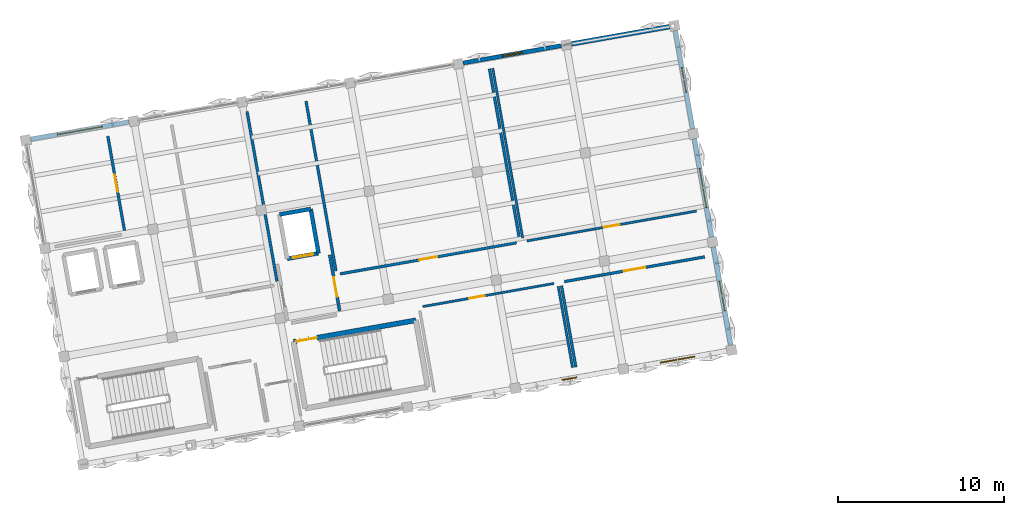
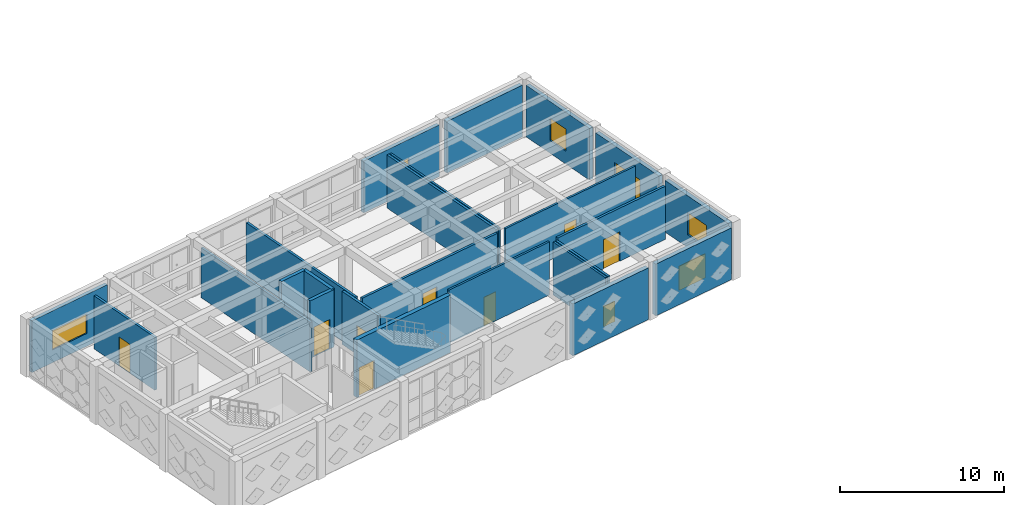
# One storey, part 28 of 36: 24 walls, 8 doors, 7 windows, 15 openings.
"""IFC4 building model written with IfcOpenShell, lengths in metres."""

from ifc_helpers import new_model, si_unit, direction, frame, frame_2d, origin, place, context, subcontext, project, spatial, rectangle, extrude, material, layer, layer_set, type_object, element, fill, save


model = new_model("IFC4")

# Units and contexts
model_context = context("Model", 3, precision=1e-05, world=origin(), true_north=direction((0.0, 1.0)))
body_context = subcontext(model_context, "Body", "Model", "MODEL_VIEW")
ifc_project = project(units=[si_unit("LENGTHUNIT", "METRE"), si_unit("AREAUNIT", "SQUARE_METRE"), si_unit("VOLUMEUNIT", "CUBIC_METRE"), si_unit("PLANEANGLEUNIT", "RADIAN"), si_unit("MASSUNIT", "GRAM", prefix="KILO")], contexts=[model_context])

# Site, building, storey
site_placement = place(None, origin())
site = spatial("IfcSite", under=ifc_project, at=site_placement, CompositionType="ELEMENT")
building_placement = place(site_placement, origin())
building = spatial("IfcBuilding", under=site, at=building_placement, Name="Kharisveld Research Institute", CompositionType="ELEMENT")
storey_placement = place(building_placement, frame((0.0, 0.0, 27.60009765625)))
storey = spatial("IfcBuildingStorey", under=building, at=storey_placement, Name="L06", CompositionType="ELEMENT", Elevation=27.60009765625)

# Walls
ifc_material_1 = material(Name="Concrete C40/50", Category="concrete")
ifc_layer_1 = layer(ifc_material_1, 0.239990234375)
ifc_layer_set_1 = layer_set([ifc_layer_1], Name="WL_CORE_240")
wall_type_1 = type_object("IfcWallType", Name="WL_CORE_240", PredefinedType="SHEAR", material=ifc_layer_set_1)
wall_1_placement = place(storey_placement, frame((17.01953125, 50.040771484375, 0.0), z_axis=(0.0, 0.0, 1.0), x_axis=(0.984815882103, 0.173602068988, 0.0)))
element("IfcWall", 1, at=wall_1_placement, inside=storey, type_object=wall_type_1, Name="WL:LFT:FFL-01:L06:N", PredefinedType="SHEAR", context=body_context, shape_type="SweptSolid", body=[
    extrude(rectangle(XDim=1.89990234375, YDim=0.239990234375, at=frame_2d((0.949951171875, 0.0))), origin(), (0.0, 0.0, 1.0), 4.27978515625),
])
wall_2_placement = place(storey_placement, frame((18.890625, 50.37060546875, 0.0), z_axis=(0.0, 0.0, 1.0), x_axis=(0.173615102578, -0.98481358447, 0.0)))
element("IfcWall", 2, at=wall_2_placement, inside=storey, type_object=wall_type_1, Name="WL:LFT:FFL-01:L06:E", PredefinedType="SHEAR", context=body_context, shape_type="SweptSolid", body=[
    extrude(rectangle(XDim=2.699951171875, YDim=0.239990234375, at=frame_2d((1.35009765625, 0.0))), origin(), (0.0, 0.0, 1.0), 4.27978515625),
])

# Wall, opening, door
wall_3_placement = place(storey_placement, frame((19.359375, 47.711669921875, 0.0), z_axis=(0.0, 0.0, 1.0), x_axis=(-0.984815882103, -0.173602068988, 0.0)))
wall_3 = element("IfcWall", 3, at=wall_3_placement, inside=storey, type_object=wall_type_1, Name="WL:LFT:FFL-01:L06:S", PredefinedType="SHEAR", context=body_context, shape_type="SweptSolid", body=[
    extrude(rectangle(XDim=1.89990234375, YDim=0.239990234375, at=frame_2d((0.949951171875, 0.0))), origin(), (0.0, 0.0, 1.0), 4.27978515625),
])
opening_1_placement = place(wall_3_placement, frame((0.324951171875, 0.0, 0.0)))
opening_1 = element("IfcOpeningElement", 4, at=opening_1_placement, cuts=wall_3, Name="Opening LD-02", PredefinedType="OPENING", context=body_context, shape_type="SweptSolid", body=[
    extrude(rectangle(XDim=1.25, YDim=2.199951171875, at=frame_2d((0.625, 1.10009765625))), frame((0.0, 0.1201171875, 0.0), z_axis=(0.0, -1.0, 0.0), x_axis=(1.0, 0.0, 0.0)), (0.0, 0.0, 1.0), 0.239990234375),
])
ifc_material_2 = material(Name="Flush Painted Hardwood and Anodised Aluminium", Category="wood")
door_type_1 = type_object("IfcDoorType", Name="DR_LFT_125", OperationType="SLIDING_TO_RIGHT", PredefinedType="DOOR", material=ifc_material_2)
door_1_placement = place(opening_1_placement, origin())
door_1 = element("IfcDoor", 5, at=door_1_placement, inside=storey, type_object=door_type_1, Name="FFL-01 Lift Landing Door L06", OperationType="SLIDING_TO_RIGHT", OverallHeight=2.199951171875, OverallWidth=1.25, PredefinedType="DOOR", context=body_context, shape_type="SweptSolid", body=[
    extrude(rectangle(XDim=1.25, YDim=2.199951171875, at=frame_2d((0.625, 1.10009765625))), frame((0.0, 0.02490234375, 0.0), z_axis=(0.0, -1.0, 0.0), x_axis=(1.0, 0.0, 0.0)), (0.0, 0.0, 1.0), 0.050048828125),
])
fill(opening_1, door_1)

ifc_material_3 = material(Name="Concrete C40/50", Category="concrete")
ifc_layer_2 = layer(ifc_material_3, 0.300048828125)
ifc_layer_set_2 = layer_set([ifc_layer_2], Name="WL_CORE_300")
wall_type_2 = type_object("IfcWallType", Name="WL_CORE_300", PredefinedType="SHEAR", material=ifc_layer_set_2)
wall_4_placement = place(storey_placement, frame((17.862548828125, 42.380859375, 0.0), z_axis=(0.0, 0.0, 1.0), x_axis=(0.984808225754, 0.173645496596, 0.0)))
wall_4 = element("IfcWall", 6, at=wall_4_placement, inside=storey, type_object=wall_type_2, Name="WL:STR:ST2:L06:N", PredefinedType="SHEAR", context=body_context, shape_type="SweptSolid", body=[
    extrude(rectangle(XDim=7.469970703125, YDim=0.300048828125, at=frame_2d((3.73486328125, 0.0))), origin(), (0.0, 0.0, 1.0), 4.27978515625),
])
opening_2_placement = place(wall_4_placement, frame((0.179931640625, 0.0, 0.0)))
opening_2 = element("IfcOpeningElement", 7, at=opening_2_placement, cuts=wall_4, Name="Opening DS-021", PredefinedType="OPENING", context=body_context, shape_type="SweptSolid", body=[
    extrude(rectangle(XDim=1.239990234375, YDim=2.14990234375, at=frame_2d((0.6201171875, 1.074951171875))), frame((0.0, 0.14990234375, 0.0), z_axis=(0.0, -1.0, 0.0), x_axis=(1.0, 0.0, 0.0)), (0.0, 0.0, 1.0), 0.300048828125),
])
ifc_material_4 = material(Name="Flush Painted Hardwood and Anodised Aluminium", Category="wood")
door_type_2 = type_object("IfcDoorType", Name="DR_FD60_124", OperationType="NOTDEFINED", PredefinedType="DOOR", material=ifc_material_4)
door_2_placement = place(opening_2_placement, origin())
door_2 = element("IfcDoor", 8, at=door_2_placement, inside=storey, type_object=door_type_2, Name="DR:STR:ST2:L06", OperationType="SINGLE_SWING_RIGHT", OverallHeight=2.14990234375, OverallWidth=1.239990234375, PredefinedType="DOOR", context=body_context, shape_type="SweptSolid", body=[
    extrude(rectangle(XDim=1.239990234375, YDim=2.14990234375, at=frame_2d((0.6201171875, 1.074951171875))), frame((0.0, 0.02490234375, 0.0), z_axis=(0.0, -1.0, 0.0), x_axis=(1.0, 0.0, 0.0)), (0.0, 0.0, 1.0), 0.050048828125),
])
fill(opening_2, door_2)

# Wall, opening, window
ifc_material_5 = material(Name="Lightweight Acoustic Spandrel", Category="mineral")
ifc_layer_3 = layer(ifc_material_5, 0.2451171875)
ifc_layer_set_3 = layer_set([ifc_layer_3], Name="WL_EXT_245")
wall_type_3 = type_object("IfcWallType", Name="WL_EXT_245", PredefinedType="STANDARD", material=ifc_layer_set_3)
wall_5_placement = place(storey_placement, frame((2.05224609375, 54.560302734375, 0.0), z_axis=(0.0, 0.0, 1.0), x_axis=(0.984805634113, 0.173660194111, 0.0)))
wall_5 = element("IfcWall", 9, at=wall_5_placement, inside=storey, type_object=wall_type_3, Name="WL:V1:L06:N0", PredefinedType="STANDARD", context=body_context, shape_type="SweptSolid", body=[
    extrude(rectangle(XDim=6.010009765625, YDim=0.2451171875, at=frame_2d((3.0048828125, 0.0))), origin(), (0.0, 0.0, 1.0), 3.85498046875),
])
opening_3_placement = place(wall_5_placement, frame((1.64501953125, 0.0, 0.949951171875)))
opening_3 = element("IfcOpeningElement", 10, at=opening_3_placement, cuts=wall_5, Name="Opening WN-38", PredefinedType="OPENING", context=body_context, shape_type="SweptSolid", body=[
    extrude(rectangle(XDim=2.719970703125, YDim=1.43994140625, at=frame_2d((1.35986328125, 0.719970703125))), frame((0.0, 0.12255859375, 0.0), z_axis=(0.0, -1.0, 0.0), x_axis=(1.0, 0.0, 0.0)), (0.0, 0.0, 1.0), 0.2451171875),
])
ifc_material_6 = material(Name="Low-E Double Glazing", Category="glass")
window_type_1 = type_object("IfcWindowType", Name="WN_38", PartitioningType="DOUBLE_PANEL_VERTICAL", PredefinedType="WINDOW", material=ifc_material_6)
window_1_placement = place(opening_3_placement, origin())
window_1 = element("IfcWindow", 11, at=window_1_placement, inside=storey, type_object=window_type_1, Name="WN:V1:L06:N0", OverallHeight=1.43994140625, OverallWidth=2.719970703125, PartitioningType="SINGLE_PANEL", PredefinedType="WINDOW", context=body_context, shape_type="SweptSolid", body=[
    extrude(rectangle(XDim=2.719970703125, YDim=1.43994140625, at=frame_2d((1.35986328125, 0.719970703125))), frame((0.0, 0.030029296875, 0.0), z_axis=(0.0, -1.0, 0.0), x_axis=(1.0, 0.0, 0.0)), (0.0, 0.0, 1.0), 0.06005859375),
])
fill(opening_3, window_1)

wall_6_placement = place(storey_placement, frame((28.05126953125, 59.144775390625, 0.0), z_axis=(0.0, 0.0, 1.0), x_axis=(0.984805634113, 0.173660194111, 0.0)))
wall_6 = element("IfcWall", 12, at=wall_6_placement, inside=storey, type_object=wall_type_3, Name="WL:V1:L06:N4", PredefinedType="STANDARD", context=body_context, shape_type="SweptSolid", body=[
    extrude(rectangle(XDim=6.010009765625, YDim=0.2451171875, at=frame_2d((3.0048828125, 0.0))), origin(), (0.0, 0.0, 1.0), 3.85498046875),
])
opening_4_placement = place(wall_6_placement, frame((2.405029296875, 0.0, 0.949951171875)))
opening_4 = element("IfcOpeningElement", 13, at=opening_4_placement, cuts=wall_6, Name="Opening WN-04", PredefinedType="OPENING", context=body_context, shape_type="SweptSolid", body=[
    extrude(rectangle(XDim=1.199951171875, YDim=1.5, at=frame_2d((0.60009765625, 0.75))), frame((0.0, 0.12255859375, 0.0), z_axis=(0.0, -1.0, 0.0), x_axis=(1.0, 0.0, 0.0)), (0.0, 0.0, 1.0), 0.2451171875),
])
ifc_material_7 = material(Name="Low-E Double Glazing", Category="glass")
window_type_2 = type_object("IfcWindowType", Name="WN_04", PartitioningType="SINGLE_PANEL", PredefinedType="WINDOW", material=ifc_material_7)
window_2_placement = place(opening_4_placement, origin())
window_2 = element("IfcWindow", 14, at=window_2_placement, inside=storey, type_object=window_type_2, Name="WN:V1:L06:N4", OverallHeight=1.5, OverallWidth=1.199951171875, PartitioningType="SINGLE_PANEL", PredefinedType="WINDOW", context=body_context, shape_type="SweptSolid", body=[
    extrude(rectangle(XDim=1.199951171875, YDim=1.5, at=frame_2d((0.60009765625, 0.75))), frame((0.0, 0.030029296875, 0.0), z_axis=(0.0, -1.0, 0.0), x_axis=(1.0, 0.0, 0.0)), (0.0, 0.0, 1.0), 0.06005859375),
])
fill(opening_4, window_2)

ifc_material_8 = material(Name="Precast Concrete C40/50 Thermal Wall", Category="concrete")
ifc_layer_4 = layer(ifc_material_8, 0.260009765625)
ifc_layer_set_4 = layer_set([ifc_layer_4], Name="WL_EXT_260")
wall_type_4 = type_object("IfcWallType", Name="WL_EXT_260", PredefinedType="STANDARD", material=ifc_layer_set_4)
wall_7_placement = place(storey_placement, frame((40.811279296875, 61.09521484375, 0.0), z_axis=(0.0, 0.0, 1.0), x_axis=(0.173660194111, -0.984805634113, 0.0)))
wall_7 = element("IfcWall", 15, at=wall_7_placement, inside=storey, type_object=wall_type_4, Name="WL:V1:L06:E3", PredefinedType="STANDARD", context=body_context, shape_type="SweptSolid", body=[
    extrude(rectangle(XDim=6.010009765625, YDim=0.260009765625, at=frame_2d((3.0048828125, 0.0))), origin(), (0.0, 0.0, 1.0), 3.85498046875),
])
opening_5_placement = place(wall_7_placement, frame((2.2548828125, 0.0, 0.949951171875)))
opening_5 = element("IfcOpeningElement", 16, at=opening_5_placement, cuts=wall_7, Name="Opening WN-03", PredefinedType="OPENING", context=body_context, shape_type="SweptSolid", body=[
    extrude(rectangle(XDim=1.5, YDim=1.64990234375, at=frame_2d((0.75, 0.824951171875))), frame((0.0, 0.1298828125, 0.0), z_axis=(0.0, -1.0, 0.0), x_axis=(1.0, 0.0, 0.0)), (0.0, 0.0, 1.0), 0.260009765625),
])
ifc_material_9 = material(Name="Low-E Double Glazing", Category="glass")
window_type_3 = type_object("IfcWindowType", Name="WN_03", PartitioningType="DOUBLE_PANEL_VERTICAL", PredefinedType="WINDOW", material=ifc_material_9)
window_3_placement = place(opening_5_placement, origin())
window_3 = element("IfcWindow", 17, at=window_3_placement, inside=storey, type_object=window_type_3, Name="WN:V1:L06:E3", OverallHeight=1.64990234375, OverallWidth=1.5, PartitioningType="SINGLE_PANEL", PredefinedType="WINDOW", context=body_context, shape_type="SweptSolid", body=[
    extrude(rectangle(XDim=1.5, YDim=1.64990234375, at=frame_2d((0.75, 0.824951171875))), frame((0.0, 0.030029296875, 0.0), z_axis=(0.0, -1.0, 0.0), x_axis=(1.0, 0.0, 0.0)), (0.0, 0.0, 1.0), 0.06005859375),
])
fill(opening_5, window_3)

ifc_material_10 = material(Name="Precast Concrete C40/50 Thermal Wall", Category="concrete")
ifc_layer_5 = layer(ifc_material_10, 0.27490234375)
ifc_layer_set_5 = layer_set([ifc_layer_5], Name="WL_EXT_275")
wall_type_5 = type_object("IfcWallType", Name="WL_EXT_275", PredefinedType="STANDARD", material=ifc_layer_set_5)
wall_8_placement = place(storey_placement, frame((41.95751953125, 54.595458984375, 0.0), z_axis=(0.0, 0.0, 1.0), x_axis=(0.173620796507, -0.984812580657, 0.0)))
wall_8 = element("IfcWall", 18, at=wall_8_placement, inside=storey, type_object=wall_type_5, Name="WL:V1:L06:E2", PredefinedType="STANDARD", context=body_context, shape_type="SweptSolid", body=[
    extrude(rectangle(XDim=6.010009765625, YDim=0.27490234375, at=frame_2d((3.0048828125, 0.0))), origin(), (0.0, 0.0, 1.0), 3.85498046875),
])
opening_6_placement = place(wall_8_placement, frame((1.804931640625, 0.0, 0.949951171875)))
opening_6 = element("IfcOpeningElement", 19, at=opening_6_placement, cuts=wall_8, Name="Opening WN-02", PredefinedType="OPENING", context=body_context, shape_type="SweptSolid", body=[
    extrude(rectangle(XDim=2.39990234375, YDim=1.64990234375, at=frame_2d((1.199951171875, 0.824951171875))), frame((0.0, 0.137451171875, 0.0), z_axis=(0.0, -1.0, 0.0), x_axis=(1.0, 0.0, 0.0)), (0.0, 0.0, 1.0), 0.27490234375),
])
ifc_material_11 = material(Name="Low-E Double Glazing", Category="glass")
window_type_4 = type_object("IfcWindowType", Name="WN_02", PartitioningType="TRIPLE_PANEL_VERTICAL", PredefinedType="WINDOW", material=ifc_material_11)
window_4_placement = place(opening_6_placement, origin())
window_4 = element("IfcWindow", 20, at=window_4_placement, inside=storey, type_object=window_type_4, Name="WN:V1:L06:E2", OverallHeight=1.64990234375, OverallWidth=2.39990234375, PartitioningType="SINGLE_PANEL", PredefinedType="WINDOW", context=body_context, shape_type="SweptSolid", body=[
    extrude(rectangle(XDim=2.39990234375, YDim=1.64990234375, at=frame_2d((1.199951171875, 0.824951171875))), frame((0.0, 0.030029296875, 0.0), z_axis=(0.0, -1.0, 0.0), x_axis=(1.0, 0.0, 0.0)), (0.0, 0.0, 1.0), 0.06005859375),
])
fill(opening_6, window_4)

# Wall
ifc_material_12 = material(Name="Precast Concrete C40/50 Thermal Wall", Category="concrete")
ifc_layer_6 = layer(ifc_material_12, 0.2900390625)
ifc_layer_set_6 = layer_set([ifc_layer_6], Name="WL_EXT_290")
wall_type_6 = type_object("IfcWallType", Name="WL_EXT_290", PredefinedType="STANDARD", material=ifc_layer_set_6)
wall_9_placement = place(storey_placement, frame((34.551025390625, 60.290771484375, 0.0), z_axis=(0.0, 0.0, 1.0), x_axis=(0.984805634113, 0.173660194111, 0.0)))
element("IfcWall", 21, at=wall_9_placement, inside=storey, type_object=wall_type_6, Name="WL:V1:L06:N5", PredefinedType="STANDARD", context=body_context, shape_type="SweptSolid", body=[
    extrude(rectangle(XDim=6.010009765625, YDim=0.2900390625, at=frame_2d((3.0048828125, 0.0))), origin(), (0.0, 0.0, 1.0), 3.85498046875),
])

# Wall, opening, window
wall_10_placement = place(storey_placement, frame((43.103515625, 48.095703125, 0.0), z_axis=(0.0, 0.0, 1.0), x_axis=(0.173660194111, -0.984805634113, 0.0)))
wall_10 = element("IfcWall", 22, at=wall_10_placement, inside=storey, type_object=wall_type_6, Name="WL:V1:L06:E1", PredefinedType="STANDARD", context=body_context, shape_type="SweptSolid", body=[
    extrude(rectangle(XDim=6.010009765625, YDim=0.2900390625, at=frame_2d((3.0048828125, 0.0))), origin(), (0.0, 0.0, 1.0), 3.85498046875),
])
opening_7_placement = place(wall_10_placement, frame((2.10498046875, 0.0, 0.949951171875)))
opening_7 = element("IfcOpeningElement", 23, at=opening_7_placement, cuts=wall_10, Name="Opening WN-01", PredefinedType="OPENING", context=body_context, shape_type="SweptSolid", body=[
    extrude(rectangle(XDim=1.800048828125, YDim=1.64990234375, at=frame_2d((0.89990234375, 0.824951171875))), frame((0.0, 0.14501953125, 0.0), z_axis=(0.0, -1.0, 0.0), x_axis=(1.0, 0.0, 0.0)), (0.0, 0.0, 1.0), 0.2900390625),
])
ifc_material_13 = material(Name="Low-E Double Glazing", Category="glass")
window_type_5 = type_object("IfcWindowType", Name="WN_01", PartitioningType="DOUBLE_PANEL_VERTICAL", PredefinedType="WINDOW", material=ifc_material_13)
window_5_placement = place(opening_7_placement, origin())
window_5 = element("IfcWindow", 24, at=window_5_placement, inside=storey, type_object=window_type_5, Name="WN:V1:L06:E1", OverallHeight=1.64990234375, OverallWidth=1.800048828125, PartitioningType="SINGLE_PANEL", PredefinedType="WINDOW", context=body_context, shape_type="SweptSolid", body=[
    extrude(rectangle(XDim=1.800048828125, YDim=1.64990234375, at=frame_2d((0.89990234375, 0.824951171875))), frame((0.0, 0.030029296875, 0.0), z_axis=(0.0, -1.0, 0.0), x_axis=(1.0, 0.0, 0.0)), (0.0, 0.0, 1.0), 0.06005859375),
])
fill(opening_7, window_5)

ifc_material_14 = material(Name="Precast Concrete C40/50 Ochre Panel", Category="concrete")
ifc_layer_7 = layer(ifc_material_14, 0.304931640625)
ifc_layer_set_7 = layer_set([ifc_layer_7], Name="WL_EXT_305")
wall_type_7 = type_object("IfcWallType", Name="WL_EXT_305", PredefinedType="STANDARD", material=ifc_layer_set_7)
wall_11_placement = place(storey_placement, frame((43.907958984375, 41.835205078125, 0.0), z_axis=(0.0, 0.0, 1.0), x_axis=(-0.984805634113, -0.173660194111, 0.0)))
wall_11 = element("IfcWall", 25, at=wall_11_placement, inside=storey, type_object=wall_type_7, Name="WL:V1:L06:S6", PredefinedType="STANDARD", context=body_context, shape_type="SweptSolid", body=[
    extrude(rectangle(XDim=6.010009765625, YDim=0.304931640625, at=frame_2d((3.0048828125, 0.0))), origin(), (0.0, 0.0, 1.0), 3.85498046875),
])
opening_8_placement = place(wall_11_placement, frame((1.955078125, 0.0, 0.949951171875)))
opening_8 = element("IfcOpeningElement", 26, at=opening_8_placement, cuts=wall_11, Name="Opening WN-06", PredefinedType="OPENING", context=body_context, shape_type="SweptSolid", body=[
    extrude(rectangle(XDim=2.10009765625, YDim=1.800048828125, at=frame_2d((1.050048828125, 0.89990234375))), frame((0.0, 0.15234375, 0.0), z_axis=(0.0, -1.0, 0.0), x_axis=(1.0, 0.0, 0.0)), (0.0, 0.0, 1.0), 0.304931640625),
])
ifc_material_15 = material(Name="Low-E Double Glazing", Category="glass")
window_type_6 = type_object("IfcWindowType", Name="WN_06", PartitioningType="DOUBLE_PANEL_VERTICAL", PredefinedType="WINDOW", material=ifc_material_15)
window_6_placement = place(opening_8_placement, origin())
window_6 = element("IfcWindow", 27, at=window_6_placement, inside=storey, type_object=window_type_6, Name="WN:V1:L06:S6", OverallHeight=1.800048828125, OverallWidth=2.10009765625, PartitioningType="SINGLE_PANEL", PredefinedType="WINDOW", context=body_context, shape_type="SweptSolid", body=[
    extrude(rectangle(XDim=2.10009765625, YDim=1.800048828125, at=frame_2d((1.050048828125, 0.89990234375))), frame((0.0, 0.030029296875, 0.0), z_axis=(0.0, -1.0, 0.0), x_axis=(1.0, 0.0, 0.0)), (0.0, 0.0, 1.0), 0.06005859375),
])
fill(opening_8, window_6)

wall_12_placement = place(storey_placement, frame((37.408203125, 40.689208984375, 0.0), z_axis=(0.0, 0.0, 1.0), x_axis=(-0.984805634113, -0.173660194111, 0.0)))
wall_12 = element("IfcWall", 28, at=wall_12_placement, inside=storey, type_object=wall_type_7, Name="WL:V1:L06:S5", PredefinedType="STANDARD", context=body_context, shape_type="SweptSolid", body=[
    extrude(rectangle(XDim=6.010009765625, YDim=0.304931640625, at=frame_2d((3.0048828125, 0.0))), origin(), (0.0, 0.0, 1.0), 3.85498046875),
])
opening_9_placement = place(wall_12_placement, frame((2.554931640625, 0.0, 0.949951171875)))
opening_9 = element("IfcOpeningElement", 29, at=opening_9_placement, cuts=wall_12, Name="Opening WN-05", PredefinedType="OPENING", context=body_context, shape_type="SweptSolid", body=[
    extrude(rectangle(XDim=0.89990234375, YDim=1.5, at=frame_2d((0.449951171875, 0.75))), frame((0.0, 0.15234375, 0.0), z_axis=(0.0, -1.0, 0.0), x_axis=(1.0, 0.0, 0.0)), (0.0, 0.0, 1.0), 0.304931640625),
])
ifc_material_16 = material(Name="Low-E Double Glazing", Category="glass")
window_type_7 = type_object("IfcWindowType", Name="WN_05", PartitioningType="SINGLE_PANEL", PredefinedType="WINDOW", material=ifc_material_16)
window_7_placement = place(opening_9_placement, origin())
window_7 = element("IfcWindow", 30, at=window_7_placement, inside=storey, type_object=window_type_7, Name="WN:V1:L06:S5", OverallHeight=1.5, OverallWidth=0.89990234375, PartitioningType="SINGLE_PANEL", PredefinedType="WINDOW", context=body_context, shape_type="SweptSolid", body=[
    extrude(rectangle(XDim=0.89990234375, YDim=1.5, at=frame_2d((0.449951171875, 0.75))), frame((0.0, 0.030029296875, 0.0), z_axis=(0.0, -1.0, 0.0), x_axis=(1.0, 0.0, 0.0)), (0.0, 0.0, 1.0), 0.06005859375),
])
fill(opening_9, window_7)

# Wall, opening, door
ifc_material_17 = material(Name="Acoustic Drywall Partition", Category="mineral")
ifc_layer_8 = layer(ifc_material_17, 0.1650390625)
ifc_layer_set_8 = layer_set([ifc_layer_8], Name="WL_LAB_165")
wall_type_8 = type_object("IfcWallType", Name="WL_LAB_165", PredefinedType="PARTITIONING", material=ifc_layer_set_8)
wall_13_placement = place(storey_placement, frame((7.6953125, 49.076904296875, 0.0), z_axis=(0.0, 0.0, 1.0), x_axis=(-0.173649928941, 0.984807444214, 0.0)))
wall_13 = element("IfcWall", 31, at=wall_13_placement, inside=storey, type_object=wall_type_8, Name="WL:RM:V1:L06:NW:E", PredefinedType="PARTITIONING", context=body_context, shape_type="SweptSolid", body=[
    extrude(rectangle(XDim=5.760009765625, YDim=0.1650390625, at=frame_2d((2.8798828125, 0.0))), origin(), (0.0, 0.0, 1.0), 3.949951171875),
])
opening_10_placement = place(wall_13_placement, frame((2.364990234375, 0.0, 0.0)))
opening_10 = element("IfcOpeningElement", 32, at=opening_10_placement, cuts=wall_13, Name="Opening DI-125", PredefinedType="OPENING", context=body_context, shape_type="SweptSolid", body=[
    extrude(rectangle(XDim=1.030029296875, YDim=2.159912109375, at=frame_2d((0.51513671875, 1.080078125))), frame((0.0, 0.08251953125, 0.0), z_axis=(0.0, -1.0, 0.0), x_axis=(1.0, 0.0, 0.0)), (0.0, 0.0, 1.0), 0.1650390625),
])
ifc_material_18 = material(Name="Flush Painted Hardwood and Anodised Aluminium", Category="wood")
door_type_3 = type_object("IfcDoorType", Name="DR_VAR_05", OperationType="NOTDEFINED", PredefinedType="DOOR", material=ifc_material_18)
door_3_placement = place(opening_10_placement, origin())
door_3 = element("IfcDoor", 33, at=door_3_placement, inside=storey, type_object=door_type_3, Name="DR:RM:V1:L06:NW:E", OperationType="SINGLE_SWING_LEFT", OverallHeight=2.159912109375, OverallWidth=1.030029296875, PredefinedType="DOOR", context=body_context, shape_type="SweptSolid", body=[
    extrude(rectangle(XDim=1.030029296875, YDim=2.159912109375, at=frame_2d((0.51513671875, 1.080078125))), frame((0.0, 0.02490234375, 0.0), z_axis=(0.0, -1.0, 0.0), x_axis=(1.0, 0.0, 0.0)), (0.0, 0.0, 1.0), 0.050048828125),
])
fill(opening_10, door_3)

# Wall
wall_14_placement = place(storey_placement, frame((16.86474609375, 46.02294921875, 0.0), z_axis=(0.0, 0.0, 1.0), x_axis=(-0.173632075677, 0.984810592092, 0.0)))
element("IfcWall", 34, at=wall_14_placement, inside=storey, type_object=wall_type_8, Name="WL:RM:V1:L06:N1:E", PredefinedType="PARTITIONING", context=body_context, shape_type="SweptSolid", body=[
    extrude(rectangle(XDim=10.360107421875, YDim=0.1650390625, at=frame_2d((5.18017578125, 0.0))), origin(), (0.0, 0.0, 1.0), 3.704833984375),
])

# Wall, opening, door
wall_15_placement = place(storey_placement, frame((20.6650390625, 46.469482421875, 0.0), z_axis=(0.0, 0.0, 1.0), x_axis=(0.984804338045, 0.173667543796, 0.0)))
wall_15 = element("IfcWall", 35, at=wall_15_placement, inside=storey, type_object=wall_type_8, Name="WL:RM:V1:L06:N2:S", PredefinedType="PARTITIONING", context=body_context, shape_type="SweptSolid", body=[
    extrude(rectangle(XDim=10.760009765625, YDim=0.1650390625, at=frame_2d((5.3798828125, 0.0))), origin(), (0.0, 0.0, 1.0), 3.90478515625),
])
opening_11_placement = place(wall_15_placement, frame((4.8349609375, 0.0, 0.0)))
opening_11 = element("IfcOpeningElement", 36, at=opening_11_placement, cuts=wall_15, Name="Opening DI-127", PredefinedType="OPENING", context=body_context, shape_type="SweptSolid", body=[
    extrude(rectangle(XDim=1.090087890625, YDim=2.080078125, at=frame_2d((0.544921875, 1.0400390625))), frame((0.0, 0.08251953125, 0.0), z_axis=(0.0, -1.0, 0.0), x_axis=(1.0, 0.0, 0.0)), (0.0, 0.0, 1.0), 0.1650390625),
])
ifc_material_19 = material(Name="Flush Painted Hardwood and Anodised Aluminium", Category="wood")
door_type_4 = type_object("IfcDoorType", Name="DR_VAR_07", OperationType="NOTDEFINED", PredefinedType="DOOR", material=ifc_material_19)
door_4_placement = place(opening_11_placement, origin())
door_4 = element("IfcDoor", 37, at=door_4_placement, inside=storey, type_object=door_type_4, Name="DR:RM:V1:L06:N2:S", OperationType="SINGLE_SWING_LEFT", OverallHeight=2.080078125, OverallWidth=1.090087890625, PredefinedType="DOOR", context=body_context, shape_type="SweptSolid", body=[
    extrude(rectangle(XDim=1.090087890625, YDim=2.080078125, at=frame_2d((0.544921875, 1.0400390625))), frame((0.0, 0.02490234375, 0.0), z_axis=(0.0, -1.0, 0.0), x_axis=(1.0, 0.0, 0.0)), (0.0, 0.0, 1.0), 0.050048828125),
])
fill(opening_11, door_4)

# Walls
for number, where, z_axis, x_axis, name in (
    (38, (31.43994140625, 48.5927734375, 0.0), (0.0, 0.0, 1.0), (-0.173632075677, 0.984810592092, 0.0), "WL:RM:V1:L06:N2:E"),
    (39, (18.611083984375, 56.8505859375, 0.0), (0.0, 0.0, 1.0), (0.173654930775, -0.984806562233, 0.0), "WL:RM:V1:L06:N2:W"),
):
    element("IfcWall", number, at=place(storey_placement, frame(where, z_axis=z_axis, x_axis=x_axis)), inside=storey, type_object=wall_type_8, Name=name, PredefinedType="PARTITIONING", context=body_context, shape_type="SweptSolid", body=[
        extrude(rectangle(XDim=10.360107421875, YDim=0.1650390625, at=frame_2d((5.18017578125, 0.0))), origin(), (0.0, 0.0, 1.0), 3.949951171875),
    ])

# Wall, opening, door
wall_16_placement = place(storey_placement, frame((42.58056640625, 47.49072265625, 0.0), z_axis=(0.0, 0.0, 1.0), x_axis=(-0.984804798714, -0.173664931489, 0.0)))
wall_16 = element("IfcWall", 40, at=wall_16_placement, inside=storey, type_object=wall_type_8, Name="WL:RM:V1:L06:S2:N", PredefinedType="PARTITIONING", context=body_context, shape_type="SweptSolid", body=[
    extrude(rectangle(XDim=8.56005859375, YDim=0.1650390625, at=frame_2d((4.280029296875, 0.0))), origin(), (0.0, 0.0, 1.0), 3.949951171875),
])
opening_12_placement = place(wall_16_placement, frame((3.6298828125, 0.0, 0.0)))
opening_12 = element("IfcOpeningElement", 41, at=opening_12_placement, cuts=wall_16, Name="Opening DI-130", PredefinedType="OPENING", context=body_context, shape_type="SweptSolid", body=[
    extrude(rectangle(XDim=1.300048828125, YDim=2.179931640625, at=frame_2d((0.64990234375, 1.08984375))), frame((0.0, 0.08251953125, 0.0), z_axis=(0.0, -1.0, 0.0), x_axis=(1.0, 0.0, 0.0)), (0.0, 0.0, 1.0), 0.1650390625),
])
ifc_material_20 = material(Name="Flush Painted Hardwood and Anodised Aluminium", Category="wood")
door_type_5 = type_object("IfcDoorType", Name="DR_SEM_130", OperationType="DOUBLE_DOOR_SINGLE_SWING", PredefinedType="DOOR", material=ifc_material_20)
door_5_placement = place(opening_12_placement, origin())
door_5 = element("IfcDoor", 42, at=door_5_placement, inside=storey, type_object=door_type_5, Name="DR:RM:V1:L06:S2:N", OperationType="DOUBLE_DOOR_SINGLE_SWING", OverallHeight=2.179931640625, OverallWidth=1.300048828125, PredefinedType="DOOR", context=body_context, shape_type="SweptSolid", body=[
    extrude(rectangle(XDim=1.300048828125, YDim=2.179931640625, at=frame_2d((0.64990234375, 1.08984375))), frame((0.0, 0.02490234375, 0.0), z_axis=(0.0, -1.0, 0.0), x_axis=(1.0, 0.0, 0.0)), (0.0, 0.0, 1.0), 0.050048828125),
])
fill(opening_12, door_5)

# Wall
wall_17_placement = place(storey_placement, frame((33.97216796875, 45.74951171875, 0.0), z_axis=(0.0, 0.0, 1.0), x_axis=(0.173650553511, -0.984807334084, 0.0)))
element("IfcWall", 43, at=wall_17_placement, inside=storey, type_object=wall_type_8, Name="WL:RM:V1:L06:S2:W", PredefinedType="PARTITIONING", context=body_context, shape_type="SweptSolid", body=[
    extrude(rectangle(XDim=4.960205078125, YDim=0.1650390625, at=frame_2d((2.47998046875, 0.0))), origin(), (0.0, 0.0, 1.0), 3.949951171875),
])

# Wall, opening, door
ifc_material_21 = material(Name="Masonry Blockwork", Category="masonry")
ifc_layer_9 = layer(ifc_material_21, 0.18505859375)
ifc_layer_set_9 = layer_set([ifc_layer_9], Name="WL_LOB_185")
wall_type_9 = type_object("IfcWallType", Name="WL_LOB_185", PredefinedType="SOLIDWALL", material=ifc_layer_set_9)
wall_18_placement = place(storey_placement, frame((20.6298828125, 44.249755859375, 0.0), z_axis=(0.0, 0.0, 1.0), x_axis=(-0.173621956536, 0.984812376145, 0.0)))
wall_18 = element("IfcWall", 44, at=wall_18_placement, inside=storey, type_object=wall_type_9, Name="WL:RM:V1:L06:FFL:E", PredefinedType="SOLIDWALL", context=body_context, shape_type="SweptSolid", body=[
    extrude(rectangle(XDim=3.409912109375, YDim=0.18505859375, at=frame_2d((1.705078125, 0.0))), origin(), (0.0, 0.0, 1.0), 3.949951171875),
])
opening_13_placement = place(wall_18_placement, frame((0.85009765625, 0.0, 0.0)))
opening_13 = element("IfcOpeningElement", 45, at=opening_13_placement, cuts=wall_18, Name="Opening DI-121", PredefinedType="OPENING", context=body_context, shape_type="SweptSolid", body=[
    extrude(rectangle(XDim=1.199951171875, YDim=2.14990234375, at=frame_2d((0.60009765625, 1.074951171875))), frame((0.0, 0.092529296875, 0.0), z_axis=(0.0, -1.0, 0.0), x_axis=(1.0, 0.0, 0.0)), (0.0, 0.0, 1.0), 0.18505859375),
])
ifc_material_22 = material(Name="Flush Painted Hardwood and Anodised Aluminium", Category="wood")
door_type_6 = type_object("IfcDoorType", Name="DR_FD120_120", OperationType="NOTDEFINED", PredefinedType="DOOR", material=ifc_material_22)
door_6_placement = place(opening_13_placement, origin())
door_6 = element("IfcDoor", 46, at=door_6_placement, inside=storey, type_object=door_type_6, Name="DR:RM:V1:L06:FFL:E", OperationType="SINGLE_SWING_LEFT", OverallHeight=2.14990234375, OverallWidth=1.199951171875, PredefinedType="DOOR", context=body_context, shape_type="SweptSolid", body=[
    extrude(rectangle(XDim=1.199951171875, YDim=2.14990234375, at=frame_2d((0.60009765625, 1.074951171875))), frame((0.0, 0.02490234375, 0.0), z_axis=(0.0, -1.0, 0.0), x_axis=(1.0, 0.0, 0.0)), (0.0, 0.0, 1.0), 0.050048828125),
])
fill(opening_13, door_6)

ifc_material_23 = material(Name="Insulated Stud Partition", Category="mineral")
ifc_layer_10 = layer(ifc_material_23, 0.139892578125)
ifc_layer_set_10 = layer_set([ifc_layer_10], Name="WL_OFF_140")
wall_type_10 = type_object("IfcWallType", Name="WL_OFF_140", PredefinedType="PARTITIONING", material=ifc_layer_set_10)
wall_19_placement = place(storey_placement, frame((31.891845703125, 48.44921875, 0.0), z_axis=(0.0, 0.0, 1.0), x_axis=(0.984810592092, 0.173632075677, 0.0)))
wall_19 = element("IfcWall", 47, at=wall_19_placement, inside=storey, type_object=wall_type_10, Name="WL:RM:V1:L06:N3:S", PredefinedType="PARTITIONING", context=body_context, shape_type="SweptSolid", body=[
    extrude(rectangle(XDim=10.360107421875, YDim=0.139892578125, at=frame_2d((5.18017578125, 0.0))), origin(), (0.0, 0.0, 1.0), 3.949951171875),
])
opening_14_placement = place(wall_19_placement, frame((4.7099609375, 0.0, 0.0)))
opening_14 = element("IfcOpeningElement", 48, at=opening_14_placement, cuts=wall_19, Name="Opening DI-128", PredefinedType="OPENING", context=body_context, shape_type="SweptSolid", body=[
    extrude(rectangle(XDim=0.93994140625, YDim=2.1201171875, at=frame_2d((0.469970703125, 1.06005859375))), frame((0.0, 0.06982421875, 0.0), z_axis=(0.0, -1.0, 0.0), x_axis=(1.0, 0.0, 0.0)), (0.0, 0.0, 1.0), 0.139892578125),
])
ifc_material_24 = material(Name="Flush Painted Hardwood and Anodised Aluminium", Category="wood")
door_type_7 = type_object("IfcDoorType", Name="DR_OFF_094", OperationType="NOTDEFINED", PredefinedType="DOOR", material=ifc_material_24)
door_7_placement = place(opening_14_placement, origin())
door_7 = element("IfcDoor", 49, at=door_7_placement, inside=storey, type_object=door_type_7, Name="DR:RM:V1:L06:N3:S", OperationType="SINGLE_SWING_RIGHT", OverallHeight=2.1201171875, OverallWidth=0.93994140625, PredefinedType="DOOR", context=body_context, shape_type="SweptSolid", body=[
    extrude(rectangle(XDim=0.93994140625, YDim=2.1201171875, at=frame_2d((0.469970703125, 1.06005859375))), frame((0.0, 0.02490234375, 0.0), z_axis=(0.0, -1.0, 0.0), x_axis=(1.0, 0.0, 0.0)), (0.0, 0.0, 1.0), 0.050048828125),
])
fill(opening_14, door_7)

# Walls
wall_20_placement = place(storey_placement, frame((29.837890625, 58.830322265625, 0.0), z_axis=(0.0, 0.0, 1.0), x_axis=(0.173654930775, -0.984806562233, 0.0)))
element("IfcWall", 50, at=wall_20_placement, inside=storey, type_object=wall_type_10, Name="WL:RM:V1:L06:N3:W", PredefinedType="PARTITIONING", context=body_context, shape_type="SweptSolid", body=[
    extrude(rectangle(XDim=10.360107421875, YDim=0.139892578125, at=frame_2d((5.18017578125, 0.0))), origin(), (0.0, 0.0, 1.0), 3.949951171875),
])
wall_21_placement = place(storey_placement, frame((34.636474609375, 40.830078125, 0.0), z_axis=(0.0, 0.0, 1.0), x_axis=(-0.173611232021, 0.984814266812, 0.0)))
element("IfcWall", 51, at=wall_21_placement, inside=storey, type_object=wall_type_10, Name="WL:RM:V1:L06:S1:E", PredefinedType="PARTITIONING", context=body_context, shape_type="SweptSolid", body=[
    extrude(rectangle(XDim=4.9599609375, YDim=0.139892578125, at=frame_2d((2.47998046875, 0.0))), origin(), (0.0, 0.0, 1.0), 3.949951171875),
])

# Wall, opening, door
wall_22_placement = place(storey_placement, frame((33.5205078125, 45.89306640625, 0.0), z_axis=(0.0, 0.0, 1.0), x_axis=(-0.984809322237, -0.173639277917, 0.0)))
wall_22 = element("IfcWall", 52, at=wall_22_placement, inside=storey, type_object=wall_type_10, Name="WL:RM:V1:L06:S1:N", PredefinedType="PARTITIONING", context=body_context, shape_type="SweptSolid", body=[
    extrude(rectangle(XDim=8.010009765625, YDim=0.139892578125, at=frame_2d((4.0048828125, 0.0))), origin(), (0.0, 0.0, 1.0), 3.949951171875),
])
opening_15_placement = place(wall_22_placement, frame((4.241943359375, 0.0, 0.0)))
opening_15 = element("IfcOpeningElement", 53, at=opening_15_placement, cuts=wall_22, Name="Opening DI-129", PredefinedType="OPENING", context=body_context, shape_type="SweptSolid", body=[
    extrude(rectangle(XDim=0.93994140625, YDim=2.1201171875, at=frame_2d((0.469970703125, 1.06005859375))), frame((0.0, 0.06982421875, 0.0), z_axis=(0.0, -1.0, 0.0), x_axis=(1.0, 0.0, 0.0)), (0.0, 0.0, 1.0), 0.139892578125),
])
door_8_placement = place(opening_15_placement, origin())
door_8 = element("IfcDoor", 54, at=door_8_placement, inside=storey, type_object=door_type_7, Name="DR:RM:V1:L06:S1:N", OperationType="SINGLE_SWING_LEFT", OverallHeight=2.1201171875, OverallWidth=0.93994140625, PredefinedType="DOOR", context=body_context, shape_type="SweptSolid", body=[
    extrude(rectangle(XDim=0.93994140625, YDim=2.1201171875, at=frame_2d((0.469970703125, 1.06005859375))), frame((0.0, 0.02490234375, 0.0), z_axis=(0.0, -1.0, 0.0), x_axis=(1.0, 0.0, 0.0)), (0.0, 0.0, 1.0), 0.050048828125),
])
fill(opening_15, door_8)

save(model, "model.ifc")
